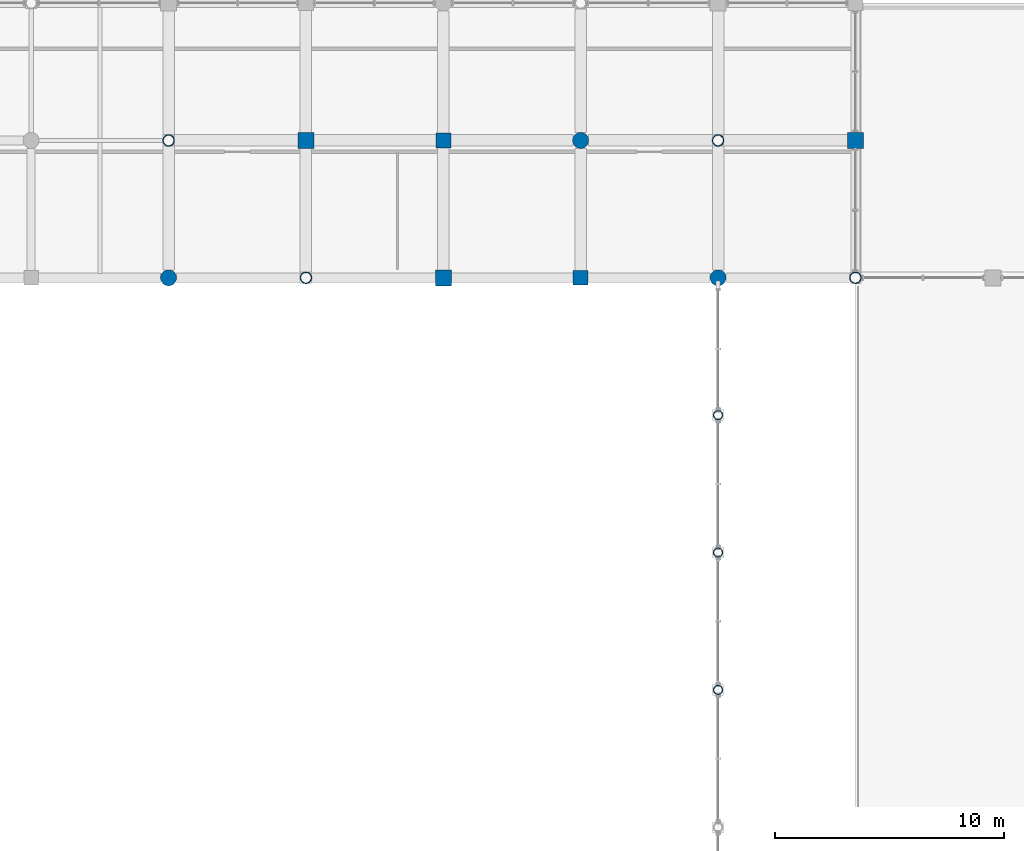
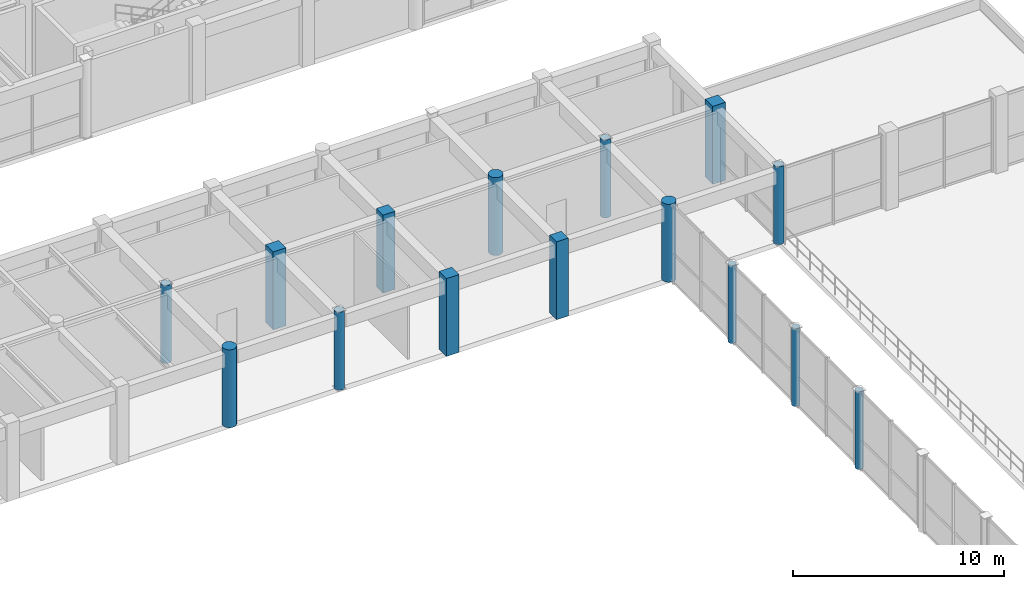
# One storey, part 9 of 116: 15 columns.
"""IFC4 building model written with IfcOpenShell, lengths in metres."""

from ifc_helpers import new_model, si_unit, direction, frame, origin, origin_2d, place, context, subcontext, project, spatial, rectangle, circle, hollow_circle, extrude, material, material_profile, profile_set, type_object, element, save


model = new_model("IFC4")

# Units and contexts
model_context = context("Model", 3, precision=1e-05, world=origin(), true_north=direction((0.0, 1.0)))
body_context = subcontext(model_context, "Body", "Model", "MODEL_VIEW")
ifc_project = project(units=[si_unit("LENGTHUNIT", "METRE"), si_unit("AREAUNIT", "SQUARE_METRE"), si_unit("VOLUMEUNIT", "CUBIC_METRE"), si_unit("PLANEANGLEUNIT", "RADIAN"), si_unit("MASSUNIT", "GRAM", prefix="KILO"), si_unit("THERMODYNAMICTEMPERATUREUNIT", "KELVIN"), si_unit("POWERUNIT", "WATT")], contexts=[model_context])

# Site, building, storey
site_placement = place(None, origin())
site = spatial("IfcSite", under=ifc_project, at=site_placement, CompositionType="ELEMENT")
building_placement = place(site_placement, origin())
building = spatial("IfcBuilding", under=site, at=building_placement, Name="Phaisarnlok Congress Hotel", CompositionType="ELEMENT")
storey_placement = place(building_placement, frame((0.0, 0.0, 10.5)))
storey = spatial("IfcBuildingStorey", under=building, at=storey_placement, Name="L02", CompositionType="ELEMENT", Elevation=10.5)

# Columns
ifc_material_1 = material(Name="Concrete C50/60", Category="concrete")
ifc_material_profile_1 = material_profile(ifc_material_1, rectangle(XDim=0.64990234375, YDim=0.64990234375, at=origin_2d()), Name="RC 650x650")
ifc_profile_set_1 = profile_set([ifc_material_profile_1], Name="Concrete C50/60")
column_type_1 = type_object("IfcColumnType", Name="COL-RC-650", PredefinedType="COLUMN", material=ifc_profile_set_1)
for number, where, z_axis, x_axis, name in (
    (1, (108.0, 90.0, 0.0), (0.0, 0.0, 1.0), (1.0, 0.0, 0.0), "Column C-04 (L02)"),
    (2, (114.0, 84.0, 0.0), (0.0, 0.0, 1.0), (1.0, 0.0, 0.0), "Column C-04 (L02)"),
):
    element("IfcColumn", number, at=place(storey_placement, frame(where, z_axis=z_axis, x_axis=x_axis)), inside=storey, type_object=column_type_1, Name=name, PredefinedType="COLUMN", context=body_context, shape_type="SweptSolid", body=[
        extrude(rectangle(XDim=0.64990234375, YDim=0.64990234375, at=origin_2d()), origin(), (0.0, 0.0, 1.0), 4.5),
    ])
ifc_material_profile_2 = material_profile(ifc_material_1, rectangle(XDim=0.699951171875, YDim=0.699951171875, at=origin_2d()), Name="RC 700x700")
ifc_profile_set_2 = profile_set([ifc_material_profile_2], Name="Concrete C50/60")
column_type_2 = type_object("IfcColumnType", Name="COL-RC-700", PredefinedType="COLUMN", material=ifc_profile_set_2)
for number, where, z_axis, x_axis, name in (
    (3, (102.0, 90.0, 0.0), (0.0, 0.0, 1.0), (1.0, 0.0, 0.0), "Column C-05 (L02)"),
    (4, (108.0, 84.0, 0.0), (0.0, 0.0, 1.0), (1.0, 0.0, 0.0), "Column C-05 (L02)"),
    (5, (126.0, 90.0, 0.0), (0.0, 0.0, 1.0), (1.0, 0.0, 0.0), "Column C-05 (L02)"),
):
    element("IfcColumn", number, at=place(storey_placement, frame(where, z_axis=z_axis, x_axis=x_axis)), inside=storey, type_object=column_type_2, Name=name, PredefinedType="COLUMN", context=body_context, shape_type="SweptSolid", body=[
        extrude(rectangle(XDim=0.699951171875, YDim=0.699951171875, at=origin_2d()), origin(), (0.0, 0.0, 1.0), 4.5),
    ])
ifc_material_profile_3 = material_profile(ifc_material_1, circle(Radius=0.35009765625, at=origin_2d()), Name="RCC D700")
ifc_profile_set_3 = profile_set([ifc_material_profile_3], Name="Concrete C50/60")
column_type_3 = type_object("IfcColumnType", Name="COL-RCC-700", PredefinedType="COLUMN", material=ifc_profile_set_3)
for number, where, z_axis, x_axis, name in (
    (6, (96.0, 84.0, 0.0), (0.0, 0.0, 1.0), (1.0, 0.0, 0.0), "Column C-13 (L02)"),
    (7, (114.0, 90.0, 0.0), (0.0, 0.0, 1.0), (1.0, 0.0, 0.0), "Column C-13 (L02)"),
    (8, (120.0, 84.0, 0.0), (0.0, 0.0, 1.0), (1.0, 0.0, 0.0), "Column C-13 (L02)"),
):
    element("IfcColumn", number, at=place(storey_placement, frame(where, z_axis=z_axis, x_axis=x_axis)), inside=storey, type_object=column_type_3, Name=name, PredefinedType="COLUMN", context=body_context, shape_type="SweptSolid", body=[
        extrude(circle(Radius=0.35009765625, at=origin_2d()), origin(), (0.0, 0.0, 1.0), 4.5),
    ])
ifc_material_2 = material(Name="Steel S355", Category="steel")
ifc_material_profile_4 = material_profile(ifc_material_2, hollow_circle(Radius=0.203125, WallThickness=0.02001953125, at=origin_2d()), Name="CHS 406.4x20")
ifc_profile_set_4 = profile_set([ifc_material_profile_4], Name="Steel S355")
column_type_4 = type_object("IfcColumnType", Name="COL-STL-CHS406-EXT", PredefinedType="COLUMN", material=ifc_profile_set_4)
for number, where, z_axis, x_axis, name in (
    (9, (120.0, 66.0, 0.0), (0.0, 0.0, 1.0), (1.0, 0.0, 0.0), "Cloister wing-roof slim steel column SC-02E (L02)"),
    (10, (120.0, 72.0, 0.0), (0.0, 0.0, 1.0), (1.0, 0.0, 0.0), "Cloister wing-roof slim steel column SC-02E (L02)"),
    (11, (120.0, 78.0, 0.0), (0.0, 0.0, 1.0), (1.0, 0.0, 0.0), "Cloister wing-roof slim steel column SC-02E (L02)"),
):
    element("IfcColumn", number, at=place(storey_placement, frame(where, z_axis=z_axis, x_axis=x_axis)), inside=storey, type_object=column_type_4, Name=name, PredefinedType="COLUMN", context=body_context, shape_type="SweptSolid", body=[
        extrude(hollow_circle(Radius=0.203125, WallThickness=0.02001953125, at=origin_2d()), origin(), (0.0, 0.0, 1.0), 4.5),
    ])
ifc_material_profile_5 = material_profile(ifc_material_2, hollow_circle(Radius=0.25390625, WallThickness=0.02490234375, at=origin_2d()), Name="CHS 508x25")
ifc_profile_set_5 = profile_set([ifc_material_profile_5], Name="Steel S355")
column_type_5 = type_object("IfcColumnType", Name="COL-STL-CHS508", PredefinedType="COLUMN", material=ifc_profile_set_5)
for number, where, z_axis, x_axis, name in (
    (12, (96.0, 90.0, 0.0), (0.0, 0.0, 1.0), (1.0, 0.0, 0.0), "Column SC-03 (L02)"),
    (13, (102.0, 84.0, 0.0), (0.0, 0.0, 1.0), (1.0, 0.0, 0.0), "Column SC-03 (L02)"),
    (14, (120.0, 90.0, 0.0), (0.0, 0.0, 1.0), (1.0, 0.0, 0.0), "Column SC-03 (L02)"),
    (15, (126.0, 84.0, 0.0), (0.0, 0.0, 1.0), (1.0, 0.0, 0.0), "Column SC-03 (L02)"),
):
    element("IfcColumn", number, at=place(storey_placement, frame(where, z_axis=z_axis, x_axis=x_axis)), inside=storey, type_object=column_type_5, Name=name, PredefinedType="COLUMN", context=body_context, shape_type="SweptSolid", body=[
        extrude(hollow_circle(Radius=0.25390625, WallThickness=0.02490234375, at=origin_2d()), origin(), (0.0, 0.0, 1.0), 4.5),
    ])

save(model, "model.ifc")
